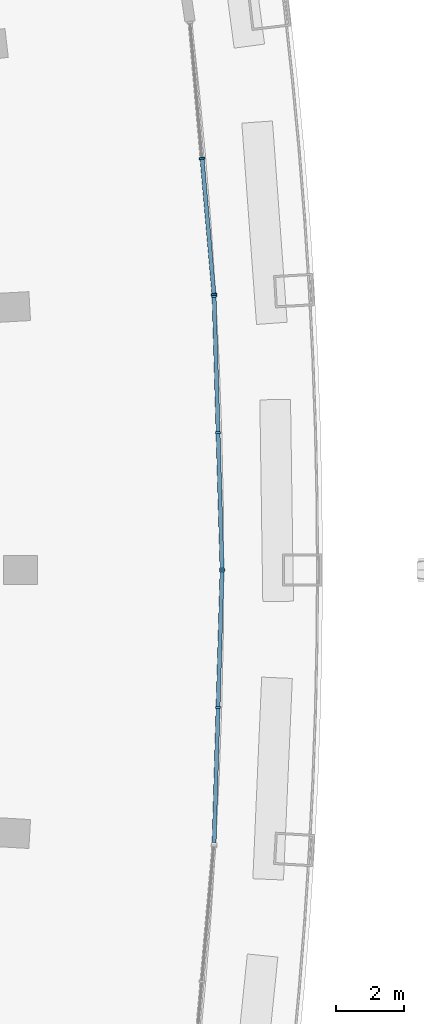
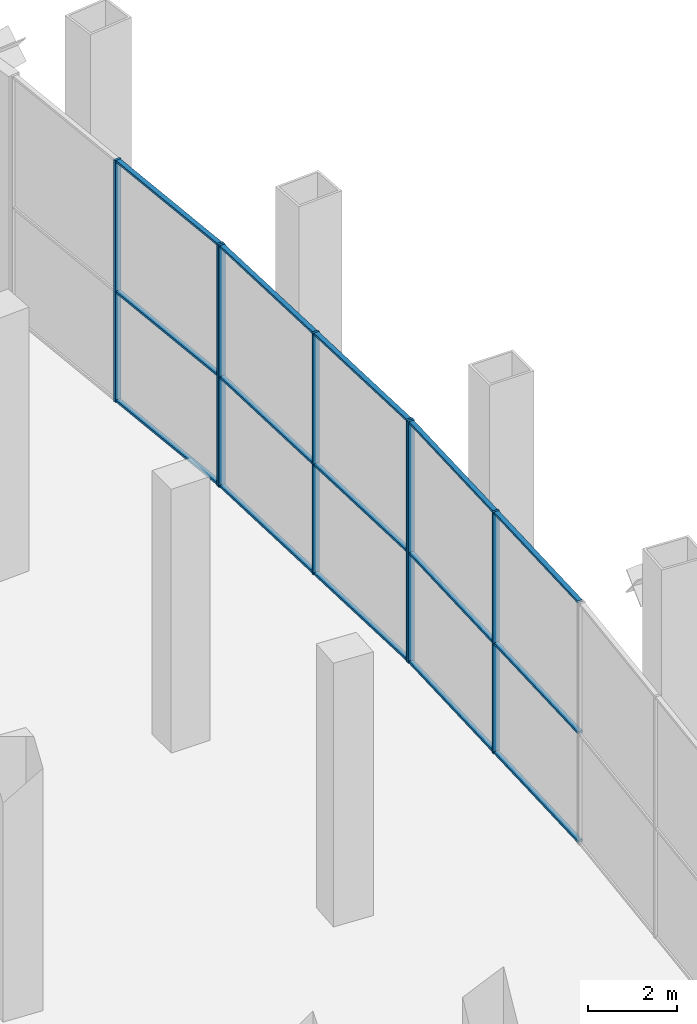
# One storey, part 4 of 18: 22 members, 3 elements without a shape of their own.
"""IFC4 building model written with IfcOpenShell, lengths in metres."""

from ifc_helpers import new_model, si_unit, direction, frame, origin, origin_2d, place, context, subcontext, project, spatial, rectangle, extrude, material, layer, layer_set, material_profile, profile_set, type_object, element, aggregate, save


model = new_model("IFC4")

# Units and contexts
model_context = context("Model", 3, precision=1e-05, world=origin(), true_north=direction((0.0, 1.0)))
body_context = subcontext(model_context, "Body", "Model", "MODEL_VIEW")
ifc_project = project(units=[si_unit("LENGTHUNIT", "METRE"), si_unit("AREAUNIT", "SQUARE_METRE"), si_unit("VOLUMEUNIT", "CUBIC_METRE"), si_unit("PLANEANGLEUNIT", "RADIAN"), si_unit("MASSUNIT", "GRAM", prefix="KILO")], contexts=[model_context])

# Site, building, storey
site_placement = place(None, origin())
site = spatial("IfcSite", under=ifc_project, at=site_placement, CompositionType="ELEMENT")
building_placement = place(site_placement, origin())
building = spatial("IfcBuilding", under=site, at=building_placement, Name="Alderwake Tower", CompositionType="ELEMENT")
storey_placement = place(building_placement, frame((0.0, 0.0, 125.60009765625)))
storey = spatial("IfcBuildingStorey", under=building, at=storey_placement, Name="L31", CompositionType="ELEMENT", Elevation=125.60009765625)

# Curtain wall, members
ifc_material_1 = material(Name="Bronze tinted glass in aluminium frame", Category="aluminium")
ifc_layer = layer(ifc_material_1, 0.199951171875)
ifc_layer_set = layer_set([ifc_layer], Name="Curtain wall CW3 sky garden glazing")
curtain_wall_type = type_object("IfcCurtainWallType", Name="Curtain wall CW3 sky garden glazing", PredefinedType="NOTDEFINED", material=ifc_layer_set)
curtain_wall_1_placement = place(storey_placement, origin())
curtain_wall_1 = element("IfcCurtainWall", 1, at=curtain_wall_1_placement, inside=storey, type_object=curtain_wall_type, Name="Curtain wall 6", PredefinedType="NOTDEFINED")
ifc_material_2 = material(Name="Aluminium bronze anodised", Category="aluminium")
ifc_material_profile_1 = material_profile(ifc_material_2, rectangle(XDim=0.159912109375, YDim=0.06005859375, at=origin_2d()), Name="Mullion MUC 60x160")
ifc_profile_set_1 = profile_set([ifc_material_profile_1], Name="Aluminium bronze anodised")
member_type_1 = type_object("IfcMemberType", Name="Mullion MUC 60x160", PredefinedType="MULLION", material=ifc_profile_set_1)
member_1_placement = place(storey_placement, frame((58.13232421875, 56.969970703125, 0.0), z_axis=(0.0, 0.0, 1.0), x_axis=(-0.999574808048, 0.029158242674, 0.0)))
member_1 = element("IfcMember", 2, at=member_1_placement, type_object=member_type_1, Name="CW.06 mullion 2", PredefinedType="MULLION", context=body_context, shape_type="SweptSolid", body=[
    extrude(rectangle(XDim=0.159912109375, YDim=0.06005859375, at=origin_2d()), origin(), (0.0, 0.0, 1.0), 6.599853515625),
])
member_2_placement = place(storey_placement, frame((58.2490234375, 60.971435546875, 0.0), z_axis=(0.0, 0.0, 1.0), x_axis=(-0.999574808048, 0.029158242674, 0.0)))
member_2 = element("IfcMember", 3, at=member_2_placement, type_object=member_type_1, Name="CW.06 mullion 3", PredefinedType="MULLION", context=body_context, shape_type="SweptSolid", body=[
    extrude(rectangle(XDim=0.159912109375, YDim=0.06005859375, at=origin_2d()), origin(), (0.0, 0.0, 1.0), 6.599853515625),
])

curtain_wall_2_placement = place(storey_placement, origin())
curtain_wall_2 = element("IfcCurtainWall", 4, at=curtain_wall_2_placement, inside=storey, type_object=curtain_wall_type, Name="Curtain wall 7", PredefinedType="NOTDEFINED")
member_3_placement = place(storey_placement, frame((58.2490234375, 61.028564453125, 0.0), z_axis=(0.0, 0.0, 1.0), x_axis=(-0.999574808048, -0.029158242674, 0.0)))
member_3 = element("IfcMember", 5, at=member_3_placement, type_object=member_type_1, Name="CW.07 mullion 1", PredefinedType="MULLION", context=body_context, shape_type="SweptSolid", body=[
    extrude(rectangle(XDim=0.159912109375, YDim=0.06005859375, at=origin_2d()), origin(), (0.0, 0.0, 1.0), 6.599853515625),
])
member_4_placement = place(storey_placement, frame((58.13232421875, 65.030029296875, 0.0), z_axis=(0.0, 0.0, 1.0), x_axis=(-0.999574808048, -0.029158242674, 0.0)))
member_4 = element("IfcMember", 6, at=member_4_placement, type_object=member_type_1, Name="CW.07 mullion 2", PredefinedType="MULLION", context=body_context, shape_type="SweptSolid", body=[
    extrude(rectangle(XDim=0.159912109375, YDim=0.06005859375, at=origin_2d()), origin(), (0.0, 0.0, 1.0), 6.599853515625),
])
member_5_placement = place(storey_placement, frame((58.015625, 69.031494140625, 0.0), z_axis=(0.0, 0.0, 1.0), x_axis=(-0.999574808048, -0.029158242674, 0.0)))
member_5 = element("IfcMember", 7, at=member_5_placement, type_object=member_type_1, Name="CW.07 mullion 3", PredefinedType="MULLION", context=body_context, shape_type="SweptSolid", body=[
    extrude(rectangle(XDim=0.159912109375, YDim=0.06005859375, at=origin_2d()), origin(), (0.0, 0.0, 1.0), 6.599853515625),
])

curtain_wall_3_placement = place(storey_placement, origin())
curtain_wall_3 = element("IfcCurtainWall", 8, at=curtain_wall_3_placement, inside=storey, type_object=curtain_wall_type, Name="Curtain wall 8", PredefinedType="NOTDEFINED")
member_6_placement = place(storey_placement, frame((58.012451171875, 69.08837890625, 0.0), z_axis=(0.0, 0.0, 1.0), x_axis=(-0.996174383152, -0.087387632716, 0.0)))
member_6 = element("IfcMember", 9, at=member_6_placement, type_object=member_type_1, Name="CW.08 mullion 1", PredefinedType="MULLION", context=body_context, shape_type="SweptSolid", body=[
    extrude(rectangle(XDim=0.159912109375, YDim=0.06005859375, at=origin_2d()), origin(), (0.0, 0.0, 1.0), 6.599853515625),
])
member_7_placement = place(storey_placement, frame((57.66259765625, 73.076171875, 0.0), z_axis=(0.0, 0.0, 1.0), x_axis=(-0.996174383152, -0.087387632716, 0.0)))
member_7 = element("IfcMember", 10, at=member_7_placement, type_object=member_type_1, Name="CW.08 mullion 2", PredefinedType="MULLION", context=body_context, shape_type="SweptSolid", body=[
    extrude(rectangle(XDim=0.159912109375, YDim=0.06005859375, at=origin_2d()), origin(), (0.0, 0.0, 1.0), 6.599853515625),
])

# Member
ifc_material_3 = material(Name="Aluminium bronze anodised", Category="aluminium")
ifc_material_profile_2 = material_profile(ifc_material_3, rectangle(XDim=0.1201171875, YDim=0.06005859375, at=origin_2d()), Name="Transom TRC 60x120")
ifc_profile_set_2 = profile_set([ifc_material_profile_2], Name="Aluminium bronze anodised")
member_type_2 = type_object("IfcMemberType", Name="Transom TRC 60x120", PredefinedType="USERDEFINED", material=ifc_profile_set_2)
member_8_placement = place(storey_placement, frame((58.0166015625, 52.99853515625, 0.02978515625), z_axis=(0.029162517087, 0.999574683351, 0.0), x_axis=(-0.999574683351, 0.029162517087, 0.0)))
member_8 = element("IfcMember", 11, at=member_8_placement, type_object=member_type_2, Name="CW.06 transom 1.1", ObjectType="TRANSOM", PredefinedType="USERDEFINED", context=body_context, shape_type="SweptSolid", body=[
    extrude(rectangle(XDim=0.1201171875, YDim=0.06005859375, at=origin_2d()), origin(), (0.0, 0.0, 1.0), 3.943115234375),
])

member_9_placement = place(storey_placement, frame((58.0166015625, 52.99853515625, 3.0), z_axis=(0.029162517087, 0.999574683351, 0.0), x_axis=(-0.999574683351, 0.029162517087, 0.0)))
member_9 = element("IfcMember", 12, at=member_9_placement, type_object=member_type_2, Name="CW.06 transom 1.2", ObjectType="TRANSOM", PredefinedType="USERDEFINED", context=body_context, shape_type="SweptSolid", body=[
    extrude(rectangle(XDim=0.1201171875, YDim=0.06005859375, at=origin_2d()), origin(), (0.0, 0.0, 1.0), 3.943115234375),
])

member_10_placement = place(storey_placement, frame((58.0166015625, 52.99853515625, 6.56982421875), z_axis=(0.029162517087, 0.999574683351, 0.0), x_axis=(-0.999574683351, 0.029162517087, 0.0)))
member_10 = element("IfcMember", 13, at=member_10_placement, type_object=member_type_2, Name="CW.06 transom 1.3", ObjectType="TRANSOM", PredefinedType="USERDEFINED", context=body_context, shape_type="SweptSolid", body=[
    extrude(rectangle(XDim=0.1201171875, YDim=0.06005859375, at=origin_2d()), origin(), (0.0, 0.0, 1.0), 3.943115234375),
])

member_11_placement = place(storey_placement, frame((58.13330078125, 57.0, 0.02978515625), z_axis=(0.029162517087, 0.999574683351, 0.0), x_axis=(-0.999574683351, 0.029162517087, 0.0)))
member_11 = element("IfcMember", 14, at=member_11_placement, type_object=member_type_2, Name="CW.06 transom 2.1", ObjectType="TRANSOM", PredefinedType="USERDEFINED", context=body_context, shape_type="SweptSolid", body=[
    extrude(rectangle(XDim=0.1201171875, YDim=0.06005859375, at=origin_2d()), origin(), (0.0, 0.0, 1.0), 3.943115234375),
])

member_12_placement = place(storey_placement, frame((58.13330078125, 57.0, 3.0), z_axis=(0.029162517087, 0.999574683351, 0.0), x_axis=(-0.999574683351, 0.029162517087, 0.0)))
member_12 = element("IfcMember", 15, at=member_12_placement, type_object=member_type_2, Name="CW.06 transom 2.2", ObjectType="TRANSOM", PredefinedType="USERDEFINED", context=body_context, shape_type="SweptSolid", body=[
    extrude(rectangle(XDim=0.1201171875, YDim=0.06005859375, at=origin_2d()), origin(), (0.0, 0.0, 1.0), 3.943115234375),
])

member_13_placement = place(storey_placement, frame((58.13330078125, 57.0, 6.56982421875), z_axis=(0.029162517087, 0.999574683351, 0.0), x_axis=(-0.999574683351, 0.029162517087, 0.0)))
member_13 = element("IfcMember", 16, at=member_13_placement, type_object=member_type_2, Name="CW.06 transom 2.3", ObjectType="TRANSOM", PredefinedType="USERDEFINED", context=body_context, shape_type="SweptSolid", body=[
    extrude(rectangle(XDim=0.1201171875, YDim=0.06005859375, at=origin_2d()), origin(), (0.0, 0.0, 1.0), 3.943115234375),
])

aggregate(curtain_wall_1, [member_1, member_2, member_8, member_9, member_10, member_11, member_12, member_13])

member_14_placement = place(storey_placement, frame((58.248291015625, 61.05859375, 0.02978515625), z_axis=(-0.029162517087, 0.999574683351, 0.0), x_axis=(-0.999574683351, -0.029162517087, 0.0)))
member_14 = element("IfcMember", 17, at=member_14_placement, type_object=member_type_2, Name="CW.07 transom 1.1", ObjectType="TRANSOM", PredefinedType="USERDEFINED", context=body_context, shape_type="SweptSolid", body=[
    extrude(rectangle(XDim=0.1201171875, YDim=0.06005859375, at=origin_2d()), origin(), (0.0, 0.0, 1.0), 3.943115234375),
])

member_15_placement = place(storey_placement, frame((58.248291015625, 61.05859375, 3.0), z_axis=(-0.029162517087, 0.999574683351, 0.0), x_axis=(-0.999574683351, -0.029162517087, 0.0)))
member_15 = element("IfcMember", 18, at=member_15_placement, type_object=member_type_2, Name="CW.07 transom 1.2", ObjectType="TRANSOM", PredefinedType="USERDEFINED", context=body_context, shape_type="SweptSolid", body=[
    extrude(rectangle(XDim=0.1201171875, YDim=0.06005859375, at=origin_2d()), origin(), (0.0, 0.0, 1.0), 3.943115234375),
])

member_16_placement = place(storey_placement, frame((58.248291015625, 61.05859375, 6.56982421875), z_axis=(-0.029162517087, 0.999574683351, 0.0), x_axis=(-0.999574683351, -0.029162517087, 0.0)))
member_16 = element("IfcMember", 19, at=member_16_placement, type_object=member_type_2, Name="CW.07 transom 1.3", ObjectType="TRANSOM", PredefinedType="USERDEFINED", context=body_context, shape_type="SweptSolid", body=[
    extrude(rectangle(XDim=0.1201171875, YDim=0.06005859375, at=origin_2d()), origin(), (0.0, 0.0, 1.0), 3.943115234375),
])

member_17_placement = place(storey_placement, frame((58.131591796875, 65.06005859375, 0.02978515625), z_axis=(-0.029162517087, 0.999574683351, 0.0), x_axis=(-0.999574683351, -0.029162517087, 0.0)))
member_17 = element("IfcMember", 20, at=member_17_placement, type_object=member_type_2, Name="CW.07 transom 2.1", ObjectType="TRANSOM", PredefinedType="USERDEFINED", context=body_context, shape_type="SweptSolid", body=[
    extrude(rectangle(XDim=0.1201171875, YDim=0.06005859375, at=origin_2d()), origin(), (0.0, 0.0, 1.0), 3.943115234375),
])

member_18_placement = place(storey_placement, frame((58.131591796875, 65.06005859375, 3.0), z_axis=(-0.029162517087, 0.999574683351, 0.0), x_axis=(-0.999574683351, -0.029162517087, 0.0)))
member_18 = element("IfcMember", 21, at=member_18_placement, type_object=member_type_2, Name="CW.07 transom 2.2", ObjectType="TRANSOM", PredefinedType="USERDEFINED", context=body_context, shape_type="SweptSolid", body=[
    extrude(rectangle(XDim=0.1201171875, YDim=0.06005859375, at=origin_2d()), origin(), (0.0, 0.0, 1.0), 3.943115234375),
])

member_19_placement = place(storey_placement, frame((58.131591796875, 65.06005859375, 6.56982421875), z_axis=(-0.029162517087, 0.999574683351, 0.0), x_axis=(-0.999574683351, -0.029162517087, 0.0)))
member_19 = element("IfcMember", 22, at=member_19_placement, type_object=member_type_2, Name="CW.07 transom 2.3", ObjectType="TRANSOM", PredefinedType="USERDEFINED", context=body_context, shape_type="SweptSolid", body=[
    extrude(rectangle(XDim=0.1201171875, YDim=0.06005859375, at=origin_2d()), origin(), (0.0, 0.0, 1.0), 3.943115234375),
])

aggregate(curtain_wall_2, [member_3, member_4, member_5, member_14, member_15, member_16, member_17, member_18, member_19])

member_20_placement = place(storey_placement, frame((58.009765625, 69.1181640625, 0.02978515625), z_axis=(-0.087358956094, 0.996176898342, 0.0), x_axis=(-0.996176898342, -0.087358956094, 0.0)))
member_20 = element("IfcMember", 23, at=member_20_placement, type_object=member_type_2, Name="CW.08 transom 1.1", ObjectType="TRANSOM", PredefinedType="USERDEFINED", context=body_context, shape_type="SweptSolid", body=[
    extrude(rectangle(XDim=0.1201171875, YDim=0.06005859375, at=origin_2d()), origin(), (0.0, 0.0, 1.0), 3.943359375),
])

member_21_placement = place(storey_placement, frame((58.009765625, 69.1181640625, 3.0), z_axis=(-0.087358956094, 0.996176898342, 0.0), x_axis=(-0.996176898342, -0.087358956094, 0.0)))
member_21 = element("IfcMember", 24, at=member_21_placement, type_object=member_type_2, Name="CW.08 transom 1.2", ObjectType="TRANSOM", PredefinedType="USERDEFINED", context=body_context, shape_type="SweptSolid", body=[
    extrude(rectangle(XDim=0.1201171875, YDim=0.06005859375, at=origin_2d()), origin(), (0.0, 0.0, 1.0), 3.943359375),
])

member_22_placement = place(storey_placement, frame((58.009765625, 69.1181640625, 6.56982421875), z_axis=(-0.087358956094, 0.996176898342, 0.0), x_axis=(-0.996176898342, -0.087358956094, 0.0)))
member_22 = element("IfcMember", 25, at=member_22_placement, type_object=member_type_2, Name="CW.08 transom 1.3", ObjectType="TRANSOM", PredefinedType="USERDEFINED", context=body_context, shape_type="SweptSolid", body=[
    extrude(rectangle(XDim=0.1201171875, YDim=0.06005859375, at=origin_2d()), origin(), (0.0, 0.0, 1.0), 3.943359375),
])

aggregate(curtain_wall_3, [member_6, member_7, member_20, member_21, member_22])

save(model, "model.ifc")
